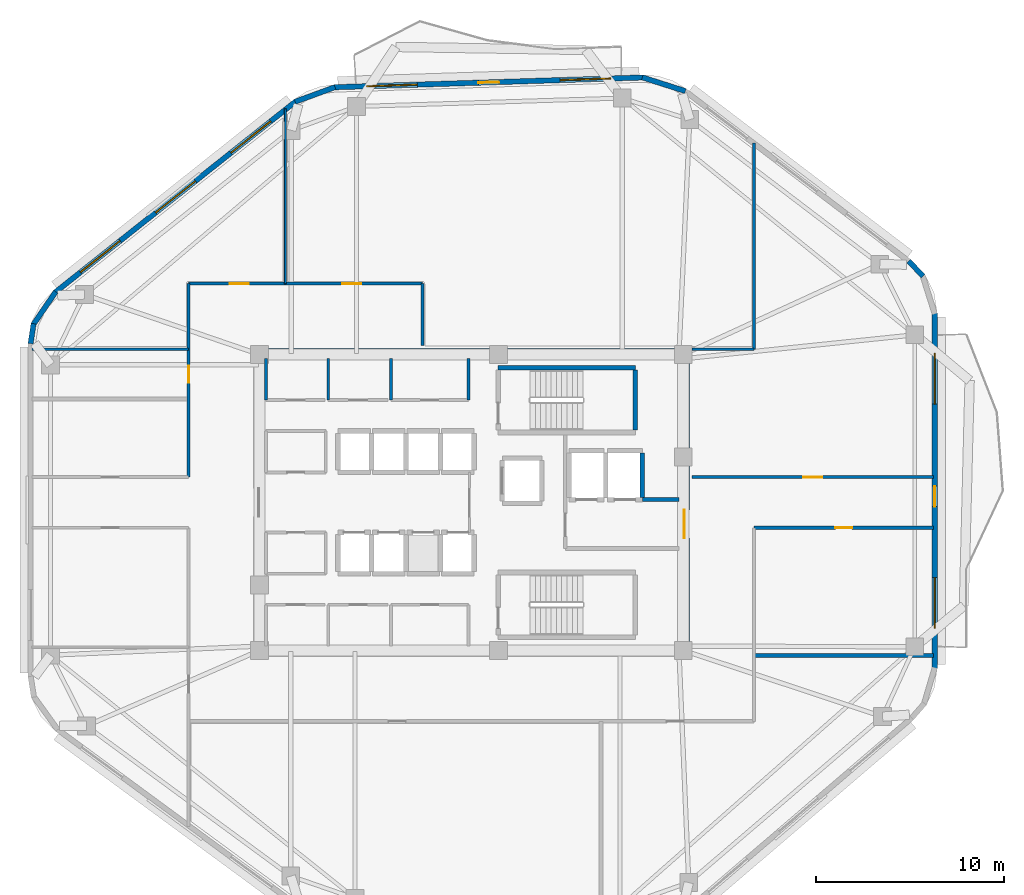
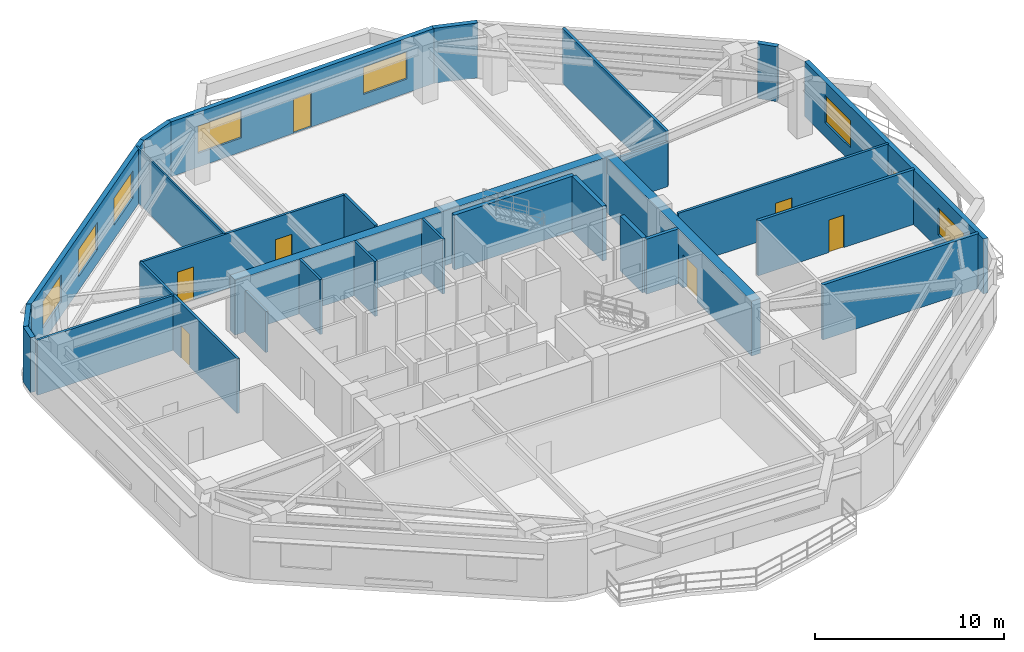
# One storey, part 5 of 9: 28 walls, 8 doors, 7 windows, 15 openings.
"""IFC4 building model written with IfcOpenShell, lengths in metres."""

from ifc_helpers import new_model, si_unit, direction, frame, frame_2d, origin, place, context, subcontext, project, spatial, rectangle, extrude, material, layer, layer_set, type_object, element, fill, save


model = new_model("IFC4")

# Units and contexts
model_context = context("Model", 3, precision=1e-05, world=origin(), true_north=direction((0.0, 1.0)))
body_context = subcontext(model_context, "Body", "Model", "MODEL_VIEW")
ifc_project = project(units=[si_unit("LENGTHUNIT", "METRE"), si_unit("AREAUNIT", "SQUARE_METRE"), si_unit("VOLUMEUNIT", "CUBIC_METRE"), si_unit("PLANEANGLEUNIT", "RADIAN"), si_unit("MASSUNIT", "GRAM", prefix="KILO")], contexts=[model_context])

# Site, building, storey
site_placement = place(None, origin())
site = spatial("IfcSite", under=ifc_project, at=site_placement, CompositionType="ELEMENT")
building_placement = place(site_placement, origin())
building = spatial("IfcBuilding", under=site, at=building_placement, Name="Zulverin Broadcast Headquarters", CompositionType="ELEMENT")
storey_placement = place(building_placement, frame((0.0, 0.0, 159.199951171875)))
storey = spatial("IfcBuildingStorey", under=building, at=storey_placement, Name="L40", CompositionType="ELEMENT", Elevation=159.199951171875)

# Walls
ifc_material_1 = material(Name="Acoustic drywall steel stud", Category="steel")
ifc_layer_1 = layer(ifc_material_1, 0.199951171875, Name="Acoustic drywall steel stud", Category="steel")
ifc_layer_set_1 = layer_set([ifc_layer_1], Name="Acoustic drywall steel stud")
wall_type_1 = type_object("IfcWallType", Name="WL-ACOU-200", PredefinedType="PARTITIONING", material=ifc_layer_set_1)
wall_1_placement = place(storey_placement, frame((52.050048828125, 17.050048828125, 0.0), z_axis=(0.0, 0.0, 1.0), x_axis=(1.0, 0.0, 0.0)))
element("IfcWall", 1, at=wall_1_placement, inside=storey, type_object=wall_type_1, Name="L40 Room Partition Wall RP-09", PredefinedType="PARTITIONING", context=body_context, shape_type="SweptSolid", body=[
    extrude(rectangle(XDim=9.544921875, YDim=0.199951171875, at=frame_2d((4.7724609375, 0.0))), origin(), (0.0, 0.0, 1.0), 3.5400390625),
])
ifc_material_2 = material(Name="Concrete C60/75", Category="concrete")
ifc_layer_2 = layer(ifc_material_2, 0.550048828125, Name="Concrete C60/75", Category="concrete")
ifc_layer_set_2 = layer_set([ifc_layer_2], Name="Concrete C60/75")
wall_type_2 = type_object("IfcWallType", Name="WL-CORE-550", PredefinedType="SHEAR", material=ifc_layer_set_2)
wall_2_placement = place(storey_placement, frame((25.39990234375, 33.125, 0.0), z_axis=(0.0, 0.0, 1.0), x_axis=(1.0, 0.0, 0.0)))
element("IfcWall", 2, at=wall_2_placement, inside=storey, type_object=wall_type_2, Name="L40 Core North Shear Wall", PredefinedType="SHEAR", context=body_context, shape_type="SweptSolid", body=[
    extrude(rectangle(XDim=23.2001953125, YDim=0.550048828125, at=frame_2d((11.60009765625, 0.0))), origin(), (0.0, 0.0, 1.0), 3.5400390625),
])

# Wall, opening, door
wall_3_placement = place(storey_placement, frame((48.324951171875, 17.550048828125, 0.0), z_axis=(0.0, 0.0, 1.0), x_axis=(0.0, 1.0, 0.0)))
wall_3 = element("IfcWall", 3, at=wall_3_placement, inside=storey, type_object=wall_type_2, Name="L40 Core East Shear Wall", PredefinedType="SHEAR", context=body_context, shape_type="SweptSolid", body=[
    extrude(rectangle(XDim=15.300048828125, YDim=0.550048828125, at=frame_2d((7.64990234375, 0.0))), origin(), (0.0, 0.0, 1.0), 3.5400390625),
])
opening_1_placement = place(wall_3_placement, frame((5.75, 0.0, 0.0)))
opening_1 = element("IfcOpeningElement", 4, at=opening_1_placement, cuts=wall_3, Name="Opening D-L40-CE1", PredefinedType="OPENING", context=body_context, shape_type="SweptSolid", body=[
    extrude(rectangle(XDim=1.5, YDim=2.14990234375, at=frame_2d((0.75, 1.074951171875))), frame((0.0, 0.284912109375, 0.0), z_axis=(0.0, -1.0, 0.0), x_axis=(1.0, 0.0, 0.0)), (0.0, 0.0, 1.0), 0.570068359375),
])
ifc_material_3 = material(Name="Fire-rated glazed steel frame", Category="steel")
door_type_1 = type_object("IfcDoorType", Name="DR-COR-1500", OperationType="DOUBLE_DOOR_SINGLE_SWING", PredefinedType="DOOR", material=ifc_material_3)
door_1_placement = place(opening_1_placement, origin())
door_1 = element("IfcDoor", 5, at=door_1_placement, inside=storey, type_object=door_type_1, Name="L40 Firefighting Lobby East Corridor Door", OperationType="DOUBLE_DOOR_SINGLE_SWING", OverallHeight=2.14990234375, OverallWidth=1.5, PredefinedType="DOOR", context=body_context, shape_type="SweptSolid", body=[
    extrude(rectangle(XDim=1.5, YDim=2.14990234375, at=frame_2d((0.75, 1.074951171875))), frame((0.0, 0.02490234375, 0.0), z_axis=(0.0, -1.0, 0.0), x_axis=(1.0, 0.0, 0.0)), (0.0, 0.0, 1.0), 0.050048828125),
])
fill(opening_1, door_1)

# Wall, openings, door, windows
ifc_material_4 = material(Name="Insulated pale-metal clad concrete spandrel C40/50", Category="concrete")
ifc_layer_3 = layer(ifc_material_4, 0.280029296875, Name="Insulated pale-metal clad concrete spandrel C40/50", Category="concrete")
ifc_layer_set_3 = layer_set([ifc_layer_3], Name="Insulated pale-metal clad concrete spandrel C40/50")
wall_type_3 = type_object("IfcWallType", Name="WL-EXT-280", PredefinedType="STANDARD", material=ifc_layer_set_3)
wall_4_placement = place(storey_placement, frame((61.659912109375, 16.369384765625, 0.0), z_axis=(0.0, 0.0, 1.0), x_axis=(0.0, 1.0, 0.0)))
wall_4 = element("IfcWall", 6, at=wall_4_placement, inside=storey, type_object=wall_type_3, Name="L40 Pale-Metal Clad Spandrel Wall 3", PredefinedType="STANDARD", context=body_context, shape_type="SweptSolid", body=[
    extrude(rectangle(XDim=18.902099609375, YDim=0.280029296875, at=frame_2d((9.451171875, 0.0))), origin(), (0.0, 0.0, 1.0), 3.5400390625),
])
opening_2_placement = place(wall_4_placement, frame((8.60107421875, 0.0, 0.0)))
opening_2 = element("IfcOpeningElement", 7, at=opening_2_placement, cuts=wall_4, Name="Opening D-L40-TR3", PredefinedType="OPENING", context=body_context, shape_type="SweptSolid", body=[
    extrude(rectangle(XDim=1.10009765625, YDim=2.199951171875, at=frame_2d((0.550048828125, 1.10009765625))), frame((0.0, 0.14990234375, 0.0), z_axis=(0.0, -1.0, 0.0), x_axis=(1.0, 0.0, 0.0)), (0.0, 0.0, 1.0), 0.300048828125),
])
opening_3_placement = place(wall_4_placement, frame((2.1337890625, 0.0, 0.89990234375)))
opening_3 = element("IfcOpeningElement", 8, at=opening_3_placement, cuts=wall_4, Name="Opening W-L40-E31", PredefinedType="OPENING", context=body_context, shape_type="SweptSolid", body=[
    extrude(rectangle(XDim=2.699951171875, YDim=1.75, at=frame_2d((1.35009765625, 0.875))), frame((0.0, 0.14990234375, 0.0), z_axis=(0.0, -1.0, 0.0), x_axis=(1.0, 0.0, 0.0)), (0.0, 0.0, 1.0), 0.300048828125),
])
opening_4_placement = place(wall_4_placement, frame((14.068603515625, 0.0, 0.89990234375)))
opening_4 = element("IfcOpeningElement", 9, at=opening_4_placement, cuts=wall_4, Name="Opening W-L40-E32", PredefinedType="OPENING", context=body_context, shape_type="SweptSolid", body=[
    extrude(rectangle(XDim=2.699951171875, YDim=1.75, at=frame_2d((1.35009765625, 0.875))), frame((0.0, 0.14990234375, 0.0), z_axis=(0.0, -1.0, 0.0), x_axis=(1.0, 0.0, 0.0)), (0.0, 0.0, 1.0), 0.300048828125),
])
ifc_material_5 = material(Name="Thermally broken aluminium glazed", Category="aluminium")
door_type_2 = type_object("IfcDoorType", Name="DR-TERR-1100", OperationType="SINGLE_SWING_RIGHT", PredefinedType="DOOR", material=ifc_material_5)
door_2_placement = place(opening_2_placement, origin())
door_2 = element("IfcDoor", 10, at=door_2_placement, inside=storey, type_object=door_type_2, Name="L40 Planted Terrace Glazed Access Door 3", OperationType="SINGLE_SWING_RIGHT", OverallHeight=2.199951171875, OverallWidth=1.10009765625, PredefinedType="DOOR", context=body_context, shape_type="SweptSolid", body=[
    extrude(rectangle(XDim=1.10009765625, YDim=2.199951171875, at=frame_2d((0.550048828125, 1.10009765625))), frame((0.0, 0.02490234375, 0.0), z_axis=(0.0, -1.0, 0.0), x_axis=(1.0, 0.0, 0.0)), (0.0, 0.0, 1.0), 0.050048828125),
])
fill(opening_2, door_2)
ifc_material_6 = material(Name="Pale anodized aluminium frame with solar-control low-E double glazing", Category="aluminium")
window_type = type_object("IfcWindowType", Name="WIN-TWR-2700", PartitioningType="SINGLE_PANEL", PredefinedType="WINDOW", material=ifc_material_6)
window_1_placement = place(opening_3_placement, origin())
window_1 = element("IfcWindow", 11, at=window_1_placement, inside=storey, type_object=window_type, Name="L40 Ribbon Glazing Window 3 1", OverallHeight=1.75, OverallWidth=2.699951171875, PartitioningType="SINGLE_PANEL", PredefinedType="WINDOW", context=body_context, shape_type="SweptSolid", body=[
    extrude(rectangle(XDim=2.699951171875, YDim=1.75, at=frame_2d((1.35009765625, 0.875))), frame((0.0, 0.030029296875, 0.0), z_axis=(0.0, -1.0, 0.0), x_axis=(1.0, 0.0, 0.0)), (0.0, 0.0, 1.0), 0.06005859375),
])
fill(opening_3, window_1)
window_2_placement = place(opening_4_placement, origin())
window_2 = element("IfcWindow", 12, at=window_2_placement, inside=storey, type_object=window_type, Name="L40 Ribbon Glazing Window 3 2", OverallHeight=1.75, OverallWidth=2.699951171875, PartitioningType="SINGLE_PANEL", PredefinedType="WINDOW", context=body_context, shape_type="SweptSolid", body=[
    extrude(rectangle(XDim=2.699951171875, YDim=1.75, at=frame_2d((1.35009765625, 0.875))), frame((0.0, 0.030029296875, 0.0), z_axis=(0.0, -1.0, 0.0), x_axis=(1.0, 0.0, 0.0)), (0.0, 0.0, 1.0), 0.06005859375),
])
fill(opening_4, window_2)

wall_5_placement = place(storey_placement, frame((46.143310546875, 47.819580078125, 0.0), z_axis=(0.0, 0.0, 1.0), x_axis=(-0.999497065256, -0.031711457627, 0.0)))
wall_5 = element("IfcWall", 13, at=wall_5_placement, inside=storey, type_object=wall_type_3, Name="L40 Pale-Metal Clad Spandrel Wall 5", PredefinedType="STANDARD", context=body_context, shape_type="SweptSolid", body=[
    extrude(rectangle(XDim=16.452392578125, YDim=0.280029296875, at=frame_2d((8.22607421875, 0.0))), origin(), (0.0, 0.0, 1.0), 3.5400390625),
])
opening_5_placement = place(wall_5_placement, frame((7.67626953125, 0.0, 0.0)))
opening_5 = element("IfcOpeningElement", 14, at=opening_5_placement, cuts=wall_5, Name="Opening D-L40-TR5", PredefinedType="OPENING", context=body_context, shape_type="SweptSolid", body=[
    extrude(rectangle(XDim=1.10009765625, YDim=2.199951171875, at=frame_2d((0.550048828125, 1.10009765625))), frame((0.0, 0.14990234375, 0.0), z_axis=(0.0, -1.0, 0.0), x_axis=(1.0, 0.0, 0.0)), (0.0, 0.0, 1.0), 0.300048828125),
])
opening_6_placement = place(wall_5_placement, frame((1.725341796875, 0.0, 0.89990234375)))
opening_6 = element("IfcOpeningElement", 15, at=opening_6_placement, cuts=wall_5, Name="Opening W-L40-E51", PredefinedType="OPENING", context=body_context, shape_type="SweptSolid", body=[
    extrude(rectangle(XDim=2.699951171875, YDim=1.75, at=frame_2d((1.35009765625, 0.875))), frame((0.0, 0.14990234375, 0.0), z_axis=(0.0, -1.0, 0.0), x_axis=(1.0, 0.0, 0.0)), (0.0, 0.0, 1.0), 0.300048828125),
])
opening_7_placement = place(wall_5_placement, frame((12.027099609375, 0.0, 0.89990234375)))
opening_7 = element("IfcOpeningElement", 16, at=opening_7_placement, cuts=wall_5, Name="Opening W-L40-E52", PredefinedType="OPENING", context=body_context, shape_type="SweptSolid", body=[
    extrude(rectangle(XDim=2.699951171875, YDim=1.75, at=frame_2d((1.35009765625, 0.875))), frame((0.0, 0.14990234375, 0.0), z_axis=(0.0, -1.0, 0.0), x_axis=(1.0, 0.0, 0.0)), (0.0, 0.0, 1.0), 0.300048828125),
])
door_3_placement = place(opening_5_placement, origin())
door_3 = element("IfcDoor", 17, at=door_3_placement, inside=storey, type_object=door_type_2, Name="L40 Planted Terrace Glazed Access Door 5", OperationType="SINGLE_SWING_RIGHT", OverallHeight=2.199951171875, OverallWidth=1.10009765625, PredefinedType="DOOR", context=body_context, shape_type="SweptSolid", body=[
    extrude(rectangle(XDim=1.10009765625, YDim=2.199951171875, at=frame_2d((0.550048828125, 1.10009765625))), frame((0.0, 0.02490234375, 0.0), z_axis=(0.0, -1.0, 0.0), x_axis=(1.0, 0.0, 0.0)), (0.0, 0.0, 1.0), 0.050048828125),
])
fill(opening_5, door_3)
window_3_placement = place(opening_6_placement, origin())
window_3 = element("IfcWindow", 18, at=window_3_placement, inside=storey, type_object=window_type, Name="L40 Ribbon Glazing Window 5 1", OverallHeight=1.75, OverallWidth=2.699951171875, PartitioningType="SINGLE_PANEL", PredefinedType="WINDOW", context=body_context, shape_type="SweptSolid", body=[
    extrude(rectangle(XDim=2.699951171875, YDim=1.75, at=frame_2d((1.35009765625, 0.875))), frame((0.0, 0.030029296875, 0.0), z_axis=(0.0, -1.0, 0.0), x_axis=(1.0, 0.0, 0.0)), (0.0, 0.0, 1.0), 0.06005859375),
])
fill(opening_6, window_3)
window_4_placement = place(opening_7_placement, origin())
window_4 = element("IfcWindow", 19, at=window_4_placement, inside=storey, type_object=window_type, Name="L40 Ribbon Glazing Window 5 2", OverallHeight=1.75, OverallWidth=2.699951171875, PartitioningType="SINGLE_PANEL", PredefinedType="WINDOW", context=body_context, shape_type="SweptSolid", body=[
    extrude(rectangle(XDim=2.699951171875, YDim=1.75, at=frame_2d((1.35009765625, 0.875))), frame((0.0, 0.030029296875, 0.0), z_axis=(0.0, -1.0, 0.0), x_axis=(1.0, 0.0, 0.0)), (0.0, 0.0, 1.0), 0.06005859375),
])
fill(opening_7, window_4)

# Wall, openings, windows
wall_6_placement = place(storey_placement, frame((27.657958984375, 46.5498046875, 0.0), z_axis=(0.0, 0.0, 1.0), x_axis=(-0.783266285861, -0.621686356158, 0.0)))
wall_6 = element("IfcWall", 20, at=wall_6_placement, inside=storey, type_object=wall_type_3, Name="L40 Pale-Metal Clad Spandrel Wall 6", PredefinedType="STANDARD", context=body_context, shape_type="SweptSolid", body=[
    extrude(rectangle(XDim=16.35302734375, YDim=0.280029296875, at=frame_2d((8.176513671875, 0.0))), origin(), (0.0, 0.0, 1.0), 3.5400390625),
])
opening_8_placement = place(wall_6_placement, frame((1.708740234375, 0.0, 0.89990234375)))
opening_8 = element("IfcOpeningElement", 21, at=opening_8_placement, cuts=wall_6, Name="Opening W-L40-E61", PredefinedType="OPENING", context=body_context, shape_type="SweptSolid", body=[
    extrude(rectangle(XDim=2.699951171875, YDim=1.75, at=frame_2d((1.35009765625, 0.875))), frame((0.0, 0.14990234375, 0.0), z_axis=(0.0, -1.0, 0.0), x_axis=(1.0, 0.0, 0.0)), (0.0, 0.0, 1.0), 0.300048828125),
])
opening_9_placement = place(wall_6_placement, frame((6.826416015625, 0.0, 0.89990234375)))
opening_9 = element("IfcOpeningElement", 22, at=opening_9_placement, cuts=wall_6, Name="Opening W-L40-E62", PredefinedType="OPENING", context=body_context, shape_type="SweptSolid", body=[
    extrude(rectangle(XDim=2.699951171875, YDim=1.75, at=frame_2d((1.35009765625, 0.875))), frame((0.0, 0.14990234375, 0.0), z_axis=(0.0, -1.0, 0.0), x_axis=(1.0, 0.0, 0.0)), (0.0, 0.0, 1.0), 0.300048828125),
])
opening_10_placement = place(wall_6_placement, frame((11.944091796875, 0.0, 0.89990234375)))
opening_10 = element("IfcOpeningElement", 23, at=opening_10_placement, cuts=wall_6, Name="Opening W-L40-E63", PredefinedType="OPENING", context=body_context, shape_type="SweptSolid", body=[
    extrude(rectangle(XDim=2.699951171875, YDim=1.75, at=frame_2d((1.35009765625, 0.875))), frame((0.0, 0.14990234375, 0.0), z_axis=(0.0, -1.0, 0.0), x_axis=(1.0, 0.0, 0.0)), (0.0, 0.0, 1.0), 0.300048828125),
])
window_5_placement = place(opening_8_placement, origin())
window_5 = element("IfcWindow", 24, at=window_5_placement, inside=storey, type_object=window_type, Name="L40 Ribbon Glazing Window 6 1", OverallHeight=1.75, OverallWidth=2.699951171875, PartitioningType="SINGLE_PANEL", PredefinedType="WINDOW", context=body_context, shape_type="SweptSolid", body=[
    extrude(rectangle(XDim=2.699951171875, YDim=1.75, at=frame_2d((1.35009765625, 0.875))), frame((0.0, 0.030029296875, 0.0), z_axis=(0.0, -1.0, 0.0), x_axis=(1.0, 0.0, 0.0)), (0.0, 0.0, 1.0), 0.06005859375),
])
fill(opening_8, window_5)
window_6_placement = place(opening_9_placement, origin())
window_6 = element("IfcWindow", 25, at=window_6_placement, inside=storey, type_object=window_type, Name="L40 Ribbon Glazing Window 6 2", OverallHeight=1.75, OverallWidth=2.699951171875, PartitioningType="SINGLE_PANEL", PredefinedType="WINDOW", context=body_context, shape_type="SweptSolid", body=[
    extrude(rectangle(XDim=2.699951171875, YDim=1.75, at=frame_2d((1.35009765625, 0.875))), frame((0.0, 0.030029296875, 0.0), z_axis=(0.0, -1.0, 0.0), x_axis=(1.0, 0.0, 0.0)), (0.0, 0.0, 1.0), 0.06005859375),
])
fill(opening_9, window_6)
window_7_placement = place(opening_10_placement, origin())
window_7 = element("IfcWindow", 26, at=window_7_placement, inside=storey, type_object=window_type, Name="L40 Ribbon Glazing Window 6 3", OverallHeight=1.75, OverallWidth=2.699951171875, PartitioningType="SINGLE_PANEL", PredefinedType="WINDOW", context=body_context, shape_type="SweptSolid", body=[
    extrude(rectangle(XDim=2.699951171875, YDim=1.75, at=frame_2d((1.35009765625, 0.875))), frame((0.0, 0.030029296875, 0.0), z_axis=(0.0, -1.0, 0.0), x_axis=(1.0, 0.0, 0.0)), (0.0, 0.0, 1.0), 0.06005859375),
])
fill(opening_10, window_7)

# Walls
wall_7_placement = place(storey_placement, frame((61.04248046875, 37.247314453125, 0.0), z_axis=(0.0, 0.0, 1.0), x_axis=(-0.694004126367, 0.719971022045, 0.0)))
element("IfcWall", 27, at=wall_7_placement, inside=storey, type_object=wall_type_3, Name="L40 Wind-Shaped Corner Spandrel Wall 3-2", PredefinedType="STANDARD", context=body_context, shape_type="SweptSolid", body=[
    extrude(rectangle(XDim=1.10009765625, YDim=0.280029296875, at=frame_2d((0.550048828125, 0.0))), origin(), (0.0, 0.0, 1.0), 3.5400390625),
])
wall_8_placement = place(storey_placement, frame((48.390380859375, 47.093017578125, 0.0), z_axis=(0.0, 0.0, 1.0), x_axis=(-0.952542948918, 0.304404222156, 0.0)))
element("IfcWall", 28, at=wall_8_placement, inside=storey, type_object=wall_type_3, Name="L40 Wind-Shaped Corner Spandrel Wall 4-1", PredefinedType="STANDARD", context=body_context, shape_type="SweptSolid", body=[
    extrude(rectangle(XDim=2.408447265625, YDim=0.280029296875, at=frame_2d((1.2041015625, 0.0))), origin(), (0.0, 0.0, 1.0), 3.5400390625),
])
wall_9_placement = place(storey_placement, frame((29.742919921875, 47.306396484375, 0.0), z_axis=(0.0, 0.0, 1.0), x_axis=(-0.93893328381, -0.344099242302, 0.0)))
element("IfcWall", 29, at=wall_9_placement, inside=storey, type_object=wall_type_3, Name="L40 Wind-Shaped Corner Spandrel Wall 5-1", PredefinedType="STANDARD", context=body_context, shape_type="SweptSolid", body=[
    extrude(rectangle(XDim=2.261962890625, YDim=0.280029296875, at=frame_2d((1.130859375, 0.0))), origin(), (0.0, 0.0, 1.0), 3.5400390625),
])
wall_10_placement = place(storey_placement, frame((14.877685546875, 36.4140625, 0.0), z_axis=(0.0, 0.0, 1.0), x_axis=(-0.564564614133, -0.825388875906, 0.0)))
element("IfcWall", 30, at=wall_10_placement, inside=storey, type_object=wall_type_3, Name="L40 Wind-Shaped Corner Spandrel Wall 6-1", PredefinedType="STANDARD", context=body_context, shape_type="SweptSolid", body=[
    extrude(rectangle(XDim=2.127685546875, YDim=0.280029296875, at=frame_2d((1.06396484375, 0.0))), origin(), (0.0, 0.0, 1.0), 3.5400390625),
])
wall_11_placement = place(storey_placement, frame((13.69921875, 34.716064453125, 0.0), z_axis=(0.0, 0.0, 1.0), x_axis=(-0.149549920187, -0.988754176412, 0.0)))
element("IfcWall", 31, at=wall_11_placement, inside=storey, type_object=wall_type_3, Name="L40 Wind-Shaped Corner Spandrel Wall 6-2", PredefinedType="STANDARD", context=body_context, shape_type="SweptSolid", body=[
    extrude(rectangle(XDim=1.075927734375, YDim=0.280029296875, at=frame_2d((0.5380859375, 0.0))), origin(), (0.0, 0.0, 1.0), 3.5400390625),
])
ifc_material_7 = material(Name="Concrete C40/50", Category="concrete")
ifc_layer_4 = layer(ifc_material_7, 0.199951171875, Name="Concrete C40/50", Category="concrete")
ifc_layer_set_4 = layer_set([ifc_layer_4], Name="Concrete C40/50")
wall_type_4 = type_object("IfcWallType", Name="WL-FFL-200", PredefinedType="SOLIDWALL", material=ifc_layer_set_4)
wall_12_placement = place(storey_placement, frame((46.10009765625, 25.35009765625, 0.0), z_axis=(0.0, 0.0, 1.0), x_axis=(1.0, 0.0, 0.0)))
element("IfcWall", 32, at=wall_12_placement, inside=storey, type_object=wall_type_4, Name="L40 Firefighting Lift Lobby North Wall", PredefinedType="SOLIDWALL", context=body_context, shape_type="SweptSolid", body=[
    extrude(rectangle(XDim=1.949951171875, YDim=0.199951171875, at=frame_2d((0.97509765625, 0.0))), origin(), (0.0, 0.0, 1.0), 3.5400390625),
])
ifc_material_8 = material(Name="Fire-rated acoustic laminated glass screen", Category="glass")
ifc_layer_5 = layer(ifc_material_8, 0.10009765625, Name="Fire-rated acoustic laminated glass screen", Category="glass")
ifc_layer_set_5 = layer_set([ifc_layer_5], Name="Fire-rated acoustic laminated glass screen")
wall_type_5 = type_object("IfcWallType", Name="WL-GLAZ-100", PredefinedType="PARTITIONING", material=ifc_layer_set_5)
wall_13_placement = place(storey_placement, frame((27.10009765625, 36.85009765625, 0.0), z_axis=(0.0, 0.0, 1.0), x_axis=(0.0, 1.0, 0.0)))
element("IfcWall", 33, at=wall_13_placement, inside=storey, type_object=wall_type_5, Name="L40 Room Partition Wall RP-05", PredefinedType="PARTITIONING", context=body_context, shape_type="SweptSolid", body=[
    extrude(rectangle(XDim=9.29541015625, YDim=0.10009765625, at=frame_2d((4.647705078125, 0.0))), origin(), (0.0, 0.0, 1.0), 3.5400390625),
])
ifc_material_9 = material(Name="Fire-rated gypsum stud partition", Category="gypsum")
ifc_layer_6 = layer(ifc_material_9, 0.14990234375, Name="Fire-rated gypsum stud partition", Category="gypsum")
ifc_layer_set_6 = layer_set([ifc_layer_6], Name="Fire-rated gypsum stud partition")
wall_type_6 = type_object("IfcWallType", Name="WL-PART-150", PredefinedType="PARTITIONING", material=ifc_layer_set_6)
wall_14_placement = place(storey_placement, frame((26.070068359375, 30.64990234375, 0.0), z_axis=(0.0, 0.0, 1.0), x_axis=(0.0, 1.0, 0.0)))
element("IfcWall", 34, at=wall_14_placement, inside=storey, type_object=wall_type_6, Name="L40 Core Male WC West Wall", PredefinedType="PARTITIONING", context=body_context, shape_type="SweptSolid", body=[
    extrude(rectangle(XDim=2.2001953125, YDim=0.14990234375, at=frame_2d((1.10009765625, 0.0))), origin(), (0.0, 0.0, 1.0), 2.64013671875),
])
for number, where, z_axis, x_axis, name in (
    (35, (29.3798828125, 30.64990234375, 0.0), (0.0, 0.0, 1.0), (0.0, 1.0, 0.0), "L40 Core Accessible WC West Wall"),
    (36, (32.72998046875, 30.64990234375, 0.0), (0.0, 0.0, 1.0), (0.0, 1.0, 0.0), "L40 Core Electrical Distribution Riser West Wall"),
    (37, (36.85009765625, 30.64990234375, 0.0), (0.0, 0.0, 1.0), (0.0, 1.0, 0.0), "L40 Core Electrical Distribution Riser East Wall"),
):
    element("IfcWall", number, at=place(storey_placement, frame(where, z_axis=z_axis, x_axis=x_axis)), inside=storey, type_object=wall_type_6, Name=name, PredefinedType="PARTITIONING", context=body_context, shape_type="SweptSolid", body=[
        extrude(rectangle(XDim=2.2001953125, YDim=0.14990234375, at=frame_2d((1.10009765625, 0.0))), origin(), (0.0, 0.0, 1.0), 3.5400390625),
    ])
wall_15_placement = place(storey_placement, frame((52.050048828125, 33.3515625, 0.0), z_axis=(0.0, 0.0, 1.0), x_axis=(0.0, 1.0, 0.0)))
element("IfcWall", 38, at=wall_15_placement, inside=storey, type_object=wall_type_6, Name="L40 Room Partition Wall RP-02", PredefinedType="PARTITIONING", context=body_context, shape_type="SweptSolid", body=[
    extrude(rectangle(XDim=10.982666015625, YDim=0.14990234375, at=frame_2d((5.4912109375, 0.0))), origin(), (0.0, 0.0, 1.0), 3.5400390625),
])

# Wall, opening, door
wall_16_placement = place(storey_placement, frame((21.949951171875, 26.550048828125, 0.0), z_axis=(0.0, 0.0, 1.0), x_axis=(0.0, 1.0, 0.0)))
wall_16 = element("IfcWall", 39, at=wall_16_placement, inside=storey, type_object=wall_type_6, Name="L40 Gallery Partition Wall CG-07", PredefinedType="PARTITIONING", context=body_context, shape_type="SweptSolid", body=[
    extrude(rectangle(XDim=10.300048828125, YDim=0.14990234375, at=frame_2d((5.14990234375, 0.0))), origin(), (0.0, 0.0, 1.0), 3.5400390625),
])
opening_11_placement = place(wall_16_placement, frame((5.02490234375, 0.0, 0.0)))
opening_11 = element("IfcOpeningElement", 40, at=opening_11_placement, cuts=wall_16, Name="Opening D-L40-08", PredefinedType="OPENING", context=body_context, shape_type="SweptSolid", body=[
    extrude(rectangle(XDim=0.89990234375, YDim=2.10009765625, at=frame_2d((0.449951171875, 1.050048828125))), frame((0.0, 0.0849609375, 0.0), z_axis=(0.0, -1.0, 0.0), x_axis=(1.0, 0.0, 0.0)), (0.0, 0.0, 1.0), 0.169921875),
])
ifc_material_10 = material(Name="Fire-rated hardwood veneer timber leaf", Category="wood")
door_type_3 = type_object("IfcDoorType", Name="DR-ROOM-900", OperationType="SINGLE_SWING_RIGHT", PredefinedType="DOOR", material=ifc_material_10)
door_4_placement = place(opening_11_placement, origin())
door_4 = element("IfcDoor", 41, at=door_4_placement, inside=storey, type_object=door_type_3, Name="L40 Tea Pantry Door", OperationType="SINGLE_SWING_LEFT", OverallHeight=2.10009765625, OverallWidth=0.89990234375, PredefinedType="DOOR", context=body_context, shape_type="SweptSolid", body=[
    extrude(rectangle(XDim=0.89990234375, YDim=2.10009765625, at=frame_2d((0.449951171875, 1.050048828125))), frame((0.0, 0.02490234375, 0.0), z_axis=(0.0, -1.0, 0.0), x_axis=(1.0, 0.0, 0.0)), (0.0, 0.0, 1.0), 0.050048828125),
])
fill(opening_11, door_4)

wall_17_placement = place(storey_placement, frame((48.739990234375, 26.550048828125, 0.0), z_axis=(0.0, 0.0, 1.0), x_axis=(1.0, 0.0, 0.0)))
wall_17 = element("IfcWall", 42, at=wall_17_placement, inside=storey, type_object=wall_type_6, Name="L40 Gallery Partition Wall CG-14", PredefinedType="PARTITIONING", context=body_context, shape_type="SweptSolid", body=[
    extrude(rectangle(XDim=12.85498046875, YDim=0.14990234375, at=frame_2d((6.427490234375, 0.0))), origin(), (0.0, 0.0, 1.0), 3.5400390625),
])
opening_12_placement = place(wall_17_placement, frame((5.927490234375, 0.0, 0.0)))
opening_12 = element("IfcOpeningElement", 43, at=opening_12_placement, cuts=wall_17, Name="Opening D-L40-10", PredefinedType="OPENING", context=body_context, shape_type="SweptSolid", body=[
    extrude(rectangle(XDim=1.0, YDim=2.1201171875, at=frame_2d((0.5, 1.06005859375))), frame((0.0, 0.0849609375, 0.0), z_axis=(0.0, -1.0, 0.0), x_axis=(1.0, 0.0, 0.0)), (0.0, 0.0, 1.0), 0.169921875),
])
ifc_material_11 = material(Name="Hardwood veneer acoustic leaf", Category="wood")
door_type_4 = type_object("IfcDoorType", Name="DR-OFF-1000", OperationType="SINGLE_SWING_LEFT", PredefinedType="DOOR", material=ifc_material_11)
door_5_placement = place(opening_12_placement, origin())
door_5 = element("IfcDoor", 44, at=door_5_placement, inside=storey, type_object=door_type_4, Name="L40 International Bureau Office Door", OperationType="SINGLE_SWING_LEFT", OverallHeight=2.1201171875, OverallWidth=1.0, PredefinedType="DOOR", context=body_context, shape_type="SweptSolid", body=[
    extrude(rectangle(XDim=1.0, YDim=2.1201171875, at=frame_2d((0.5, 1.06005859375))), frame((0.0, 0.02490234375, 0.0), z_axis=(0.0, -1.0, 0.0), x_axis=(1.0, 0.0, 0.0)), (0.0, 0.0, 1.0), 0.050048828125),
])
fill(opening_12, door_5)

# Walls
wall_18_placement = place(storey_placement, frame((13.60498046875, 33.35009765625, 0.0), z_axis=(0.0, 0.0, 1.0), x_axis=(1.0, 0.0, 0.0)))
element("IfcWall", 45, at=wall_18_placement, inside=storey, type_object=wall_type_6, Name="L40 Room Partition Wall RP-16", PredefinedType="PARTITIONING", context=body_context, shape_type="SweptSolid", body=[
    extrude(rectangle(XDim=8.344970703125, YDim=0.14990234375, at=frame_2d((4.17236328125, 0.0))), origin(), (0.0, 0.0, 1.0), 3.5400390625),
])
wall_19_placement = place(storey_placement, frame((48.739990234375, 33.35009765625, 0.0), z_axis=(0.0, 0.0, 1.0), x_axis=(1.0, 0.0, 0.0)))
element("IfcWall", 46, at=wall_19_placement, inside=storey, type_object=wall_type_6, Name="L40 Room Partition Wall RP-17", PredefinedType="PARTITIONING", context=body_context, shape_type="SweptSolid", body=[
    extrude(rectangle(XDim=3.30859375, YDim=0.14990234375, at=frame_2d((1.654296875, 0.0))), origin(), (0.0, 0.0, 1.0), 2.9228515625),
])

# Wall, openings, doors
wall_20_placement = place(storey_placement, frame((21.949951171875, 36.85009765625, 0.0), z_axis=(0.0, 0.0, 1.0), x_axis=(1.0, 0.0, 0.0)))
wall_20 = element("IfcWall", 47, at=wall_20_placement, inside=storey, type_object=wall_type_6, Name="L40 Gallery Partition Wall CG-18", PredefinedType="PARTITIONING", context=body_context, shape_type="SweptSolid", body=[
    extrude(rectangle(XDim=12.449951171875, YDim=0.14990234375, at=frame_2d((6.22509765625, 0.0))), origin(), (0.0, 0.0, 1.0), 3.5400390625),
])
opening_13_placement = place(wall_20_placement, frame((2.195068359375, 0.0, 0.0)))
opening_13 = element("IfcOpeningElement", 48, at=opening_13_placement, cuts=wall_20, Name="Opening D-L40-01", PredefinedType="OPENING", context=body_context, shape_type="SweptSolid", body=[
    extrude(rectangle(XDim=1.0, YDim=2.1201171875, at=frame_2d((0.5, 1.06005859375))), frame((0.0, 0.0849609375, 0.0), z_axis=(0.0, -1.0, 0.0), x_axis=(1.0, 0.0, 0.0)), (0.0, 0.0, 1.0), 0.169921875),
])
opening_14_placement = place(wall_20_placement, frame((8.179931640625, 0.0, 0.0)))
opening_14 = element("IfcOpeningElement", 49, at=opening_14_placement, cuts=wall_20, Name="Opening D-L40-02", PredefinedType="OPENING", context=body_context, shape_type="SweptSolid", body=[
    extrude(rectangle(XDim=1.0, YDim=2.1201171875, at=frame_2d((0.5, 1.06005859375))), frame((0.0, 0.0849609375, 0.0), z_axis=(0.0, -1.0, 0.0), x_axis=(1.0, 0.0, 0.0)), (0.0, 0.0, 1.0), 0.169921875),
])
door_6_placement = place(opening_13_placement, origin())
door_6 = element("IfcDoor", 50, at=door_6_placement, inside=storey, type_object=door_type_4, Name="L40 International Bureau Office Door", OperationType="SINGLE_SWING_RIGHT", OverallHeight=2.1201171875, OverallWidth=1.0, PredefinedType="DOOR", context=body_context, shape_type="SweptSolid", body=[
    extrude(rectangle(XDim=1.0, YDim=2.1201171875, at=frame_2d((0.5, 1.06005859375))), frame((0.0, 0.02490234375, 0.0), z_axis=(0.0, -1.0, 0.0), x_axis=(1.0, 0.0, 0.0)), (0.0, 0.0, 1.0), 0.050048828125),
])
fill(opening_13, door_6)
door_7_placement = place(opening_14_placement, origin())
door_7 = element("IfcDoor", 51, at=door_7_placement, inside=storey, type_object=door_type_4, Name="L40 Verification Office Door", OperationType="SINGLE_SWING_LEFT", OverallHeight=2.1201171875, OverallWidth=1.0, PredefinedType="DOOR", context=body_context, shape_type="SweptSolid", body=[
    extrude(rectangle(XDim=1.0, YDim=2.1201171875, at=frame_2d((0.5, 1.06005859375))), frame((0.0, 0.02490234375, 0.0), z_axis=(0.0, -1.0, 0.0), x_axis=(1.0, 0.0, 0.0)), (0.0, 0.0, 1.0), 0.050048828125),
])
fill(opening_14, door_7)

# Wall
ifc_material_12 = material(Name="Fire-rated acoustic stud wall", Category="gypsum")
ifc_layer_7 = layer(ifc_material_12, 0.175048828125, Name="Fire-rated acoustic stud wall", Category="gypsum")
ifc_layer_set_7 = layer_set([ifc_layer_7], Name="Fire-rated acoustic stud wall")
wall_type_7 = type_object("IfcWallType", Name="WL-PART-175", PredefinedType="PARTITIONING", material=ifc_layer_set_7)
wall_21_placement = place(storey_placement, frame((34.39990234375, 33.5400390625, 0.0), z_axis=(0.0, 0.0, 1.0), x_axis=(0.0, 1.0, 0.0)))
element("IfcWall", 52, at=wall_21_placement, inside=storey, type_object=wall_type_7, Name="L40 Gallery Partition Wall CG-04", PredefinedType="PARTITIONING", context=body_context, shape_type="SweptSolid", body=[
    extrude(rectangle(XDim=3.31005859375, YDim=0.175048828125, at=frame_2d((1.655029296875, 0.0))), origin(), (0.0, 0.0, 1.0), 3.5400390625),
])

# Wall, opening, door
wall_22_placement = place(storey_placement, frame((52.050048828125, 23.85009765625, 0.0), z_axis=(0.0, 0.0, 1.0), x_axis=(1.0, 0.0, 0.0)))
wall_22 = element("IfcWall", 53, at=wall_22_placement, inside=storey, type_object=wall_type_7, Name="L40 Gallery Partition Wall CG-12", PredefinedType="PARTITIONING", context=body_context, shape_type="SweptSolid", body=[
    extrude(rectangle(XDim=9.544921875, YDim=0.175048828125, at=frame_2d((4.7724609375, 0.0))), origin(), (0.0, 0.0, 1.0), 3.5400390625),
])
opening_15_placement = place(wall_22_placement, frame((4.322509765625, 0.0, 0.0)))
opening_15 = element("IfcOpeningElement", 54, at=opening_15_placement, cuts=wall_22, Name="Opening D-L40-09", PredefinedType="OPENING", context=body_context, shape_type="SweptSolid", body=[
    extrude(rectangle(XDim=0.89990234375, YDim=2.10009765625, at=frame_2d((0.449951171875, 1.050048828125))), frame((0.0, 0.097412109375, 0.0), z_axis=(0.0, -1.0, 0.0), x_axis=(1.0, 0.0, 0.0)), (0.0, 0.0, 1.0), 0.195068359375),
])
door_8_placement = place(opening_15_placement, origin())
door_8 = element("IfcDoor", 55, at=door_8_placement, inside=storey, type_object=door_type_3, Name="L40 Bureau Reception Door", OperationType="SINGLE_SWING_RIGHT", OverallHeight=2.10009765625, OverallWidth=0.89990234375, PredefinedType="DOOR", context=body_context, shape_type="SweptSolid", body=[
    extrude(rectangle(XDim=0.89990234375, YDim=2.10009765625, at=frame_2d((0.449951171875, 1.050048828125))), frame((0.0, 0.02490234375, 0.0), z_axis=(0.0, -1.0, 0.0), x_axis=(1.0, 0.0, 0.0)), (0.0, 0.0, 1.0), 0.050048828125),
])
fill(opening_15, door_8)

# Walls
ifc_material_13 = material(Name="Concrete C50/60", Category="concrete")
ifc_layer_8 = layer(ifc_material_13, 0.25, Name="Concrete C50/60", Category="concrete")
ifc_layer_set_8 = layer_set([ifc_layer_8], Name="Concrete C50/60")
wall_type_8 = type_object("IfcWallType", Name="WL-SHAFT-250", PredefinedType="SHEAR", material=ifc_layer_set_8)
wall_23_placement = place(storey_placement, frame((38.425048828125, 32.375, 0.0), z_axis=(0.0, 0.0, 1.0), x_axis=(1.0, 0.0, 0.0)))
element("IfcWall", 56, at=wall_23_placement, inside=storey, type_object=wall_type_8, Name="L40 ST-1 Enclosure Wall N", PredefinedType="SHEAR", context=body_context, shape_type="SweptSolid", body=[
    extrude(rectangle(XDim=7.300048828125, YDim=0.25, at=frame_2d((3.64990234375, 0.0))), origin(), (0.0, 0.0, 1.0), 3.5400390625),
])
wall_24_placement = place(storey_placement, frame((45.72509765625, 29.050048828125, 0.0), z_axis=(0.0, 0.0, 1.0), x_axis=(0.0, 1.0, 0.0)))
element("IfcWall", 57, at=wall_24_placement, inside=storey, type_object=wall_type_8, Name="L40 ST-1 Enclosure Wall E", PredefinedType="SHEAR", context=body_context, shape_type="SweptSolid", body=[
    extrude(rectangle(XDim=3.199951171875, YDim=0.25, at=frame_2d((1.60009765625, 0.0))), origin(), (0.0, 0.0, 1.0), 3.5400390625),
])
wall_25_placement = place(storey_placement, frame((46.10009765625, 25.469970703125, 0.0), z_axis=(0.0, 0.0, 1.0), x_axis=(0.0, 1.0, 0.0)))
element("IfcWall", 58, at=wall_25_placement, inside=storey, type_object=wall_type_8, Name="L40 Lift FFL-2 Shaft Wall E", PredefinedType="SHEAR", context=body_context, shape_type="SweptSolid", body=[
    extrude(rectangle(XDim=2.360107421875, YDim=0.25, at=frame_2d((1.18017578125, 0.0))), origin(), (0.0, 0.0, 1.0), 3.5400390625),
])

save(model, "model.ifc")
